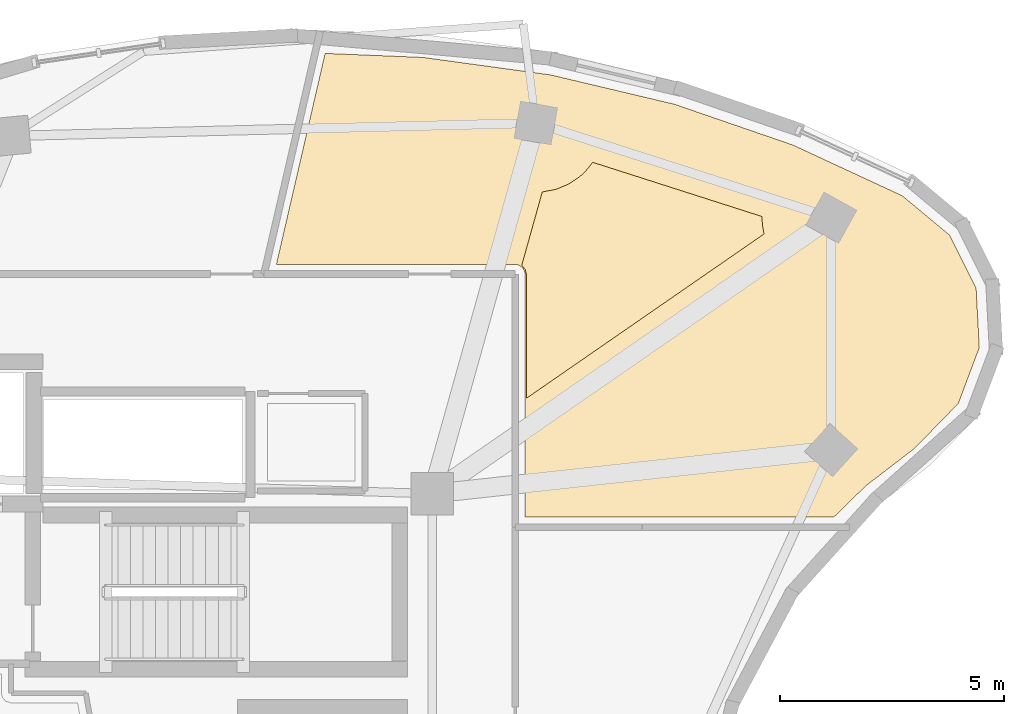
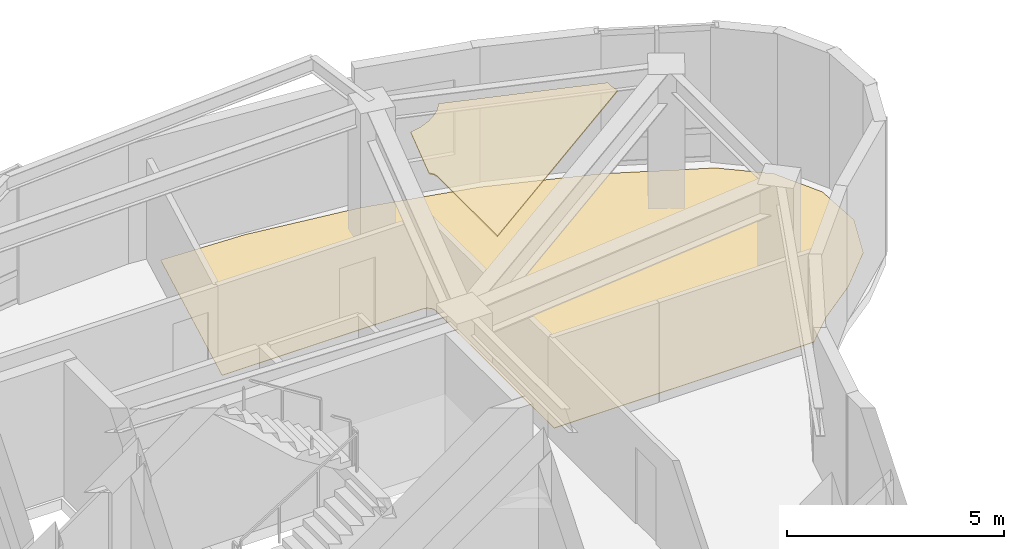
# One storey, part 12 of 12: 2 coverings.
"""IFC4 building model written with IfcOpenShell, lengths in metres."""

from ifc_helpers import new_model, si_unit, direction, frame, origin, place, context, subcontext, project, spatial, polyline, outline, extrude, material, layer, layer_set, type_object, element, save


model = new_model("IFC4")

# Units and contexts
model_context = context("Model", 3, precision=1e-05, world=origin(), true_north=direction((0.0, 1.0)))
body_context = subcontext(model_context, "Body", "Model", "MODEL_VIEW")
ifc_project = project(units=[si_unit("LENGTHUNIT", "METRE"), si_unit("AREAUNIT", "SQUARE_METRE"), si_unit("VOLUMEUNIT", "CUBIC_METRE"), si_unit("PLANEANGLEUNIT", "RADIAN"), si_unit("MASSUNIT", "GRAM", prefix="KILO")], contexts=[model_context])

# Site, building, storey
site_placement = place(None, origin())
site = spatial("IfcSite", under=ifc_project, at=site_placement, CompositionType="ELEMENT")
building_placement = place(site_placement, origin())
building = spatial("IfcBuilding", under=site, at=building_placement, Name="Korentha Bioscience Tower", CompositionType="ELEMENT")
storey_placement = place(building_placement, frame((0.0, 0.0, 282.60009765625)))
storey = spatial("IfcBuildingStorey", under=building, at=storey_placement, Name="L65", CompositionType="ELEMENT", Elevation=282.60009765625)

# Coverings
ifc_material_1 = material(Name="Antimicrobial Mineral Fibre Board", Category="gypsum")
ifc_layer_1 = layer(ifc_material_1, 0.034912109375, Name="Antimicrobial Mineral Fibre Board")
ifc_layer_set_1 = layer_set([ifc_layer_1], Name="Antimicrobial Mineral Fibre Board (CL-MF35)")
covering_type_1 = type_object("IfcCoveringType", Name="Mineral-Fibre Cleanroom Suspended Ceiling 35", PredefinedType="CEILING", material=ifc_layer_set_1)
covering_1_placement = place(storey_placement, frame((0.0, 0.0, 3.7548828125)))
element("IfcCovering", 1, at=covering_1_placement, inside=storey, type_object=covering_type_1, Name="L65 Peptide Synthesis Wet Lab 09 Acoustic Ceiling", PredefinedType="CEILING", context=body_context, shape_type="SweptSolid", body=[
    extrude(outline(polyline([(39.65966796875, 40.76220703125), (39.634765625, 40.861572265625), (39.5556640625, 40.958251953125), (40.013916015625, 42.59521484375), (40.319091796875, 42.65478515625), (40.599853515625, 42.77099609375), (40.8525390625, 42.93994140625), (40.965087890625, 43.0419921875), (41.143798828125, 43.258056640625), (44.927490234375, 42.04638671875), (44.93359375, 41.87060546875), (44.9716796875, 41.656982421875), (39.659912109375, 37.98388671875), (39.65966796875, 40.76220703125)])), origin(), (0.0, 0.0, 1.0), 0.034912109375),
])
ifc_material_2 = material(Name="Chemical-Resistant Epoxy Resin", Category="polymer")
ifc_layer_2 = layer(ifc_material_2, 0.011962890625, Name="Chemical-Resistant Epoxy Resin")
ifc_layer_set_2 = layer_set([ifc_layer_2], Name="Chemical-Resistant Epoxy Resin (FL-EPX)")
covering_type_2 = type_object("IfcCoveringType", Name="Seamless Epoxy Laboratory Flooring 12", PredefinedType="FLOORING", material=ifc_layer_set_2)
covering_2_placement = place(storey_placement, origin())
element("IfcCovering", 2, at=covering_2_placement, inside=storey, type_object=covering_type_2, Name="L65 Peptide Synthesis Wet Lab 09 Floor Finish", PredefinedType="FLOORING", context=body_context, shape_type="SweptSolid", body=[
    extrude(outline(polyline([(37.346923828125, 45.60400390625), (40.197265625, 45.213623046875), (42.9658203125, 44.55810546875), (45.61181640625, 43.647216796875), (48.0615234375, 42.510986328125), (49.115966796875, 41.634765625), (49.713134765625, 40.4453125), (49.783935546875, 39.1162109375), (49.31640625, 37.8701171875), (48.340087890625, 36.865966796875), (47.253173828125, 36.03173828125), (46.533203125, 35.327880859375), (39.6298828125, 35.327880859375), (39.6298828125, 40.75), (39.616455078125, 40.827880859375), (39.570068359375, 40.90478515625), (39.497802734375, 40.9580078125), (39.39990234375, 40.97998046875), (34.07080078125, 40.97998046875), (35.1591796875, 45.69384765625), (37.346923828125, 45.60400390625)])), origin(), (0.0, 0.0, 1.0), 0.011962890625),
])

save(model, "model.ifc")
